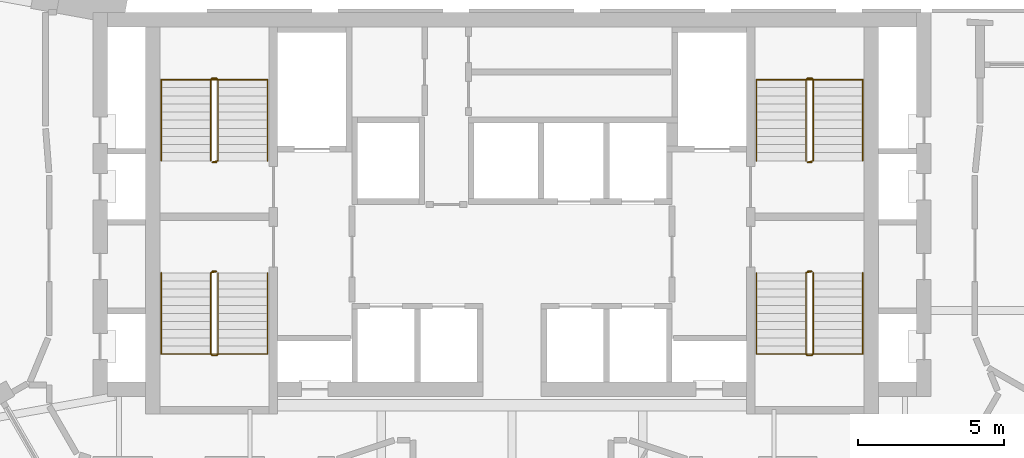
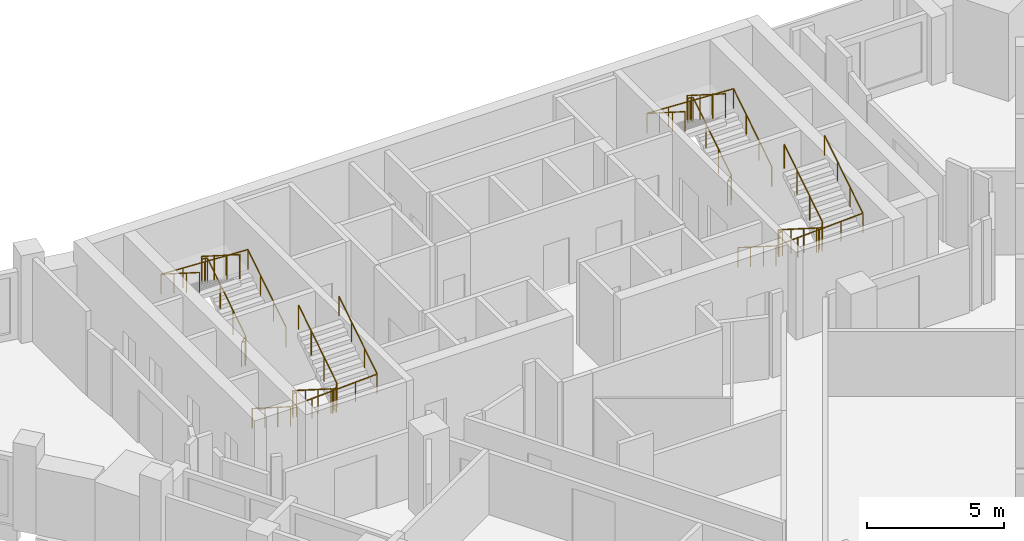
# One storey, part 9 of 9: 8 railings.
"""IFC4 building model written with IfcOpenShell, lengths in metres."""

from ifc_helpers import new_model, si_unit, direction, frame, origin, origin_2d, place, context, subcontext, project, spatial, circle, extrude, material, type_object, element, save


model = new_model("IFC4")

# Units and contexts
model_context = context("Model", 3, precision=1e-05, world=origin(), true_north=direction((0.0, 1.0)))
body_context = subcontext(model_context, "Body", "Model", "MODEL_VIEW")
ifc_project = project(units=[si_unit("LENGTHUNIT", "METRE"), si_unit("AREAUNIT", "SQUARE_METRE"), si_unit("VOLUMEUNIT", "CUBIC_METRE"), si_unit("PLANEANGLEUNIT", "RADIAN"), si_unit("MASSUNIT", "GRAM", prefix="KILO")], contexts=[model_context])

# Site, building, storey
site_placement = place(None, origin())
site = spatial("IfcSite", under=ifc_project, at=site_placement, CompositionType="ELEMENT")
building_placement = place(site_placement, origin())
building = spatial("IfcBuilding", under=site, at=building_placement, Name="Calabash Gate Tower", CompositionType="ELEMENT")
storey_placement = place(building_placement, frame((0.0, 0.0, 231.5)))
storey = spatial("IfcBuildingStorey", under=building, at=storey_placement, Name="L55", CompositionType="ELEMENT", Elevation=231.5)

# Railings
ifc_material_1 = material(Name="Black powder-coated steel balusters", Category="steel")
railing_type_1 = type_object("IfcRailingType", Name="Stair guard RL1100", PredefinedType="GUARDRAIL", material=ifc_material_1)
railing_1_placement = place(storey_placement, frame((-10.14990234375, 13.902587890625, 0.0)))
element("IfcRailing", 1, at=railing_1_placement, inside=storey, type_object=railing_type_1, Name="L55 ST1 stair guard 1", PredefinedType="GUARDRAIL", context=body_context, shape_type="SweptSolid", body=[
    extrude(circle(Radius=0.02392578125, at=origin_2d()), frame((0.0, 0.0, 1.076171875), z_axis=(-1.0, 0.0, 0.0), x_axis=(0.0, -1.0, 0.0)), (0.0, 0.0, 1.0), 0.150146484375),
    extrude(circle(Radius=0.02392578125, at=origin_2d()), frame((-0.150146484375, 0.0, 1.076171875), z_axis=(0.735524641326, 0.184105679453, 0.652003528208), x_axis=(-0.242814311512, 0.970072785993, 0.0)), (0.0, 0.0, 1.0), 0.271728515625),
    extrude(circle(Radius=0.02392578125, at=origin_2d()), frame((0.0498046875, 0.050048828125, 1.25341796875), z_axis=(0.0, 0.844041424197, 0.536277982245), x_axis=(-1.0, 0.0, 0.0)), (0.0, 0.0, 1.0), 3.3056640625),
    extrude(circle(Radius=0.02392578125, at=origin_2d()), frame((0.0498046875, 2.840087890625, 3.02587890625), z_axis=(-0.707106781187, 0.707106781187, 0.0), x_axis=(-0.707106781187, -0.707106781187, 0.0)), (0.0, 0.0, 1.0), 0.0703125),
    extrude(circle(Radius=0.02392578125, at=origin_2d()), frame((0.0, 2.889892578125, 3.02587890625), z_axis=(-1.0, 0.0, 0.0), x_axis=(0.0, -1.0, 0.0)), (0.0, 0.0, 1.0), 0.150146484375),
    extrude(circle(Radius=0.02392578125, at=origin_2d()), frame((-0.150146484375, 2.889892578125, 3.02587890625), z_axis=(-0.262321481514, -0.261041864531, 0.929001929653), x_axis=(0.705375805398, -0.708833529934, 0.0)), (0.0, 0.0, 1.0), 0.190673828125),
    extrude(circle(Radius=0.02392578125, at=origin_2d()), frame((-0.2001953125, 2.840087890625, 3.203125), z_axis=(0.0, -0.844041424197, 0.536277982245), x_axis=(1.0, 0.0, 0.0)), (0.0, 0.0, 1.0), 3.3056640625),
    extrude(circle(Radius=0.02099609375, at=origin_2d()), origin(), (0.0, 0.0, 1.0), 1.052001953125),
    extrude(circle(Radius=0.02099609375, at=origin_2d()), frame((-0.150146484375, 0.0, 0.0)), (0.0, 0.0, 1.0), 1.052001953125),
    extrude(circle(Radius=0.02099609375, at=origin_2d()), frame((0.0498046875, 0.050048828125, 0.17724609375)), (0.0, 0.0, 1.0), 1.052001953125),
    extrude(circle(Radius=0.02099609375, at=origin_2d()), frame((0.0498046875, 0.97998046875, 0.76806640625)), (0.0, 0.0, 1.0), 1.052001953125),
    extrude(circle(Radius=0.02099609375, at=origin_2d()), frame((0.0498046875, 1.91015625, 1.359130859375)), (0.0, 0.0, 1.0), 1.052001953125),
    extrude(circle(Radius=0.02099609375, at=origin_2d()), frame((0.0498046875, 2.840087890625, 1.949951171875)), (0.0, 0.0, 1.0), 1.052001953125),
    extrude(circle(Radius=0.02099609375, at=origin_2d()), frame((0.0, 2.889892578125, 1.949951171875)), (0.0, 0.0, 1.0), 1.052001953125),
    extrude(circle(Radius=0.02099609375, at=origin_2d()), frame((-0.150146484375, 2.889892578125, 1.949951171875)), (0.0, 0.0, 1.0), 1.052001953125),
    extrude(circle(Radius=0.02099609375, at=origin_2d()), frame((-0.2001953125, 2.840087890625, 2.127197265625)), (0.0, 0.0, 1.0), 1.052001953125),
    extrude(circle(Radius=0.02099609375, at=origin_2d()), frame((-0.2001953125, 1.91015625, 2.718017578125)), (0.0, 0.0, 1.0), 1.052001953125),
    extrude(circle(Radius=0.02099609375, at=origin_2d()), frame((-0.2001953125, 0.97998046875, 3.30908203125)), (0.0, 0.0, 1.0), 1.052001953125),
    extrude(circle(Radius=0.02099609375, at=origin_2d()), frame((-0.2001953125, 0.050048828125, 3.89990234375)), (0.0, 0.0, 1.0), 1.052001953125),
])
railing_2_placement = place(storey_placement, frame((-10.300048828125, 10.152587890625, 0.0)))
element("IfcRailing", 2, at=railing_2_placement, inside=storey, type_object=railing_type_1, Name="L55 ST2 stair guard 1", PredefinedType="GUARDRAIL", context=body_context, shape_type="SweptSolid", body=[
    extrude(circle(Radius=0.02392578125, at=origin_2d()), frame((0.0, 0.0, 1.076171875), z_axis=(1.0, 0.0, 0.0), x_axis=(0.0, 1.0, 0.0)), (0.0, 0.0, 1.0), 0.150146484375),
    extrude(circle(Radius=0.02392578125, at=origin_2d()), frame((0.150146484375, 0.0, 1.076171875), z_axis=(-0.735936453418, -0.183984113355, 0.651573006319), x_axis=(0.242535625036, -0.970142500145, 0.0)), (0.0, 0.0, 1.0), 0.27197265625),
    extrude(circle(Radius=0.02392578125, at=origin_2d()), frame((-0.050048828125, -0.050048828125, 1.25341796875), z_axis=(0.0, -0.844041424197, 0.536277982245), x_axis=(1.0, 0.0, 0.0)), (0.0, 0.0, 1.0), 3.3056640625),
    extrude(circle(Radius=0.02392578125, at=origin_2d()), frame((-0.050048828125, -2.840087890625, 3.02587890625), z_axis=(0.708833529934, -0.705375805398, 0.0), x_axis=(0.705375805398, 0.708833529934, 0.0)), (0.0, 0.0, 1.0), 0.070556640625),
    extrude(circle(Radius=0.02392578125, at=origin_2d()), frame((0.0, -2.889892578125, 3.02587890625), z_axis=(1.0, 0.0, 0.0), x_axis=(0.0, 1.0, 0.0)), (0.0, 0.0, 1.0), 0.150146484375),
    extrude(circle(Radius=0.02392578125, at=origin_2d()), frame((0.150146484375, -2.889892578125, 3.02587890625), z_axis=(0.261129318932, 0.261129318932, 0.929313164433), x_axis=(-0.707106781187, 0.707106781187, 0.0)), (0.0, 0.0, 1.0), 0.190673828125),
    extrude(circle(Radius=0.02392578125, at=origin_2d()), frame((0.199951171875, -2.840087890625, 3.203125), z_axis=(0.0, 0.844041424197, 0.536277982245), x_axis=(-1.0, 0.0, 0.0)), (0.0, 0.0, 1.0), 3.3056640625),
    extrude(circle(Radius=0.02099609375, at=origin_2d()), origin(), (0.0, 0.0, 1.0), 1.052001953125),
    extrude(circle(Radius=0.02099609375, at=origin_2d()), frame((0.150146484375, 0.0, 0.0)), (0.0, 0.0, 1.0), 1.052001953125),
    extrude(circle(Radius=0.02099609375, at=origin_2d()), frame((-0.050048828125, -0.050048828125, 0.17724609375)), (0.0, 0.0, 1.0), 1.052001953125),
    extrude(circle(Radius=0.02099609375, at=origin_2d()), frame((-0.050048828125, -0.97998046875, 0.76806640625)), (0.0, 0.0, 1.0), 1.052001953125),
    extrude(circle(Radius=0.02099609375, at=origin_2d()), frame((-0.050048828125, -1.91015625, 1.359130859375)), (0.0, 0.0, 1.0), 1.052001953125),
    extrude(circle(Radius=0.02099609375, at=origin_2d()), frame((-0.050048828125, -2.840087890625, 1.949951171875)), (0.0, 0.0, 1.0), 1.052001953125),
    extrude(circle(Radius=0.02099609375, at=origin_2d()), frame((0.0, -2.889892578125, 1.949951171875)), (0.0, 0.0, 1.0), 1.052001953125),
    extrude(circle(Radius=0.02099609375, at=origin_2d()), frame((0.150146484375, -2.889892578125, 1.949951171875)), (0.0, 0.0, 1.0), 1.052001953125),
    extrude(circle(Radius=0.02099609375, at=origin_2d()), frame((0.199951171875, -2.840087890625, 2.127197265625)), (0.0, 0.0, 1.0), 1.052001953125),
    extrude(circle(Radius=0.02099609375, at=origin_2d()), frame((0.199951171875, -1.91015625, 2.718017578125)), (0.0, 0.0, 1.0), 1.052001953125),
    extrude(circle(Radius=0.02099609375, at=origin_2d()), frame((0.199951171875, -0.97998046875, 3.30908203125)), (0.0, 0.0, 1.0), 1.052001953125),
    extrude(circle(Radius=0.02099609375, at=origin_2d()), frame((0.199951171875, -0.050048828125, 3.89990234375)), (0.0, 0.0, 1.0), 1.052001953125),
])
railing_3_placement = place(storey_placement, frame((10.300048828125, 13.902587890625, 0.0)))
element("IfcRailing", 3, at=railing_3_placement, inside=storey, type_object=railing_type_1, Name="L55 ST3 stair guard 1", PredefinedType="GUARDRAIL", context=body_context, shape_type="SweptSolid", body=[
    extrude(circle(Radius=0.02392578125, at=origin_2d()), frame((0.0, 0.0, 1.076171875), z_axis=(-1.0, 0.0, 0.0), x_axis=(0.0, -1.0, 0.0)), (0.0, 0.0, 1.0), 0.150146484375),
    extrude(circle(Radius=0.02392578125, at=origin_2d()), frame((-0.150146484375, 0.0, 1.076171875), z_axis=(0.735936453418, 0.183984113355, 0.651573006319), x_axis=(-0.242535625036, 0.970142500145, 0.0)), (0.0, 0.0, 1.0), 0.27197265625),
    extrude(circle(Radius=0.02392578125, at=origin_2d()), frame((0.050048828125, 0.050048828125, 1.25341796875), z_axis=(0.0, 0.844041424197, 0.536277982245), x_axis=(-1.0, 0.0, 0.0)), (0.0, 0.0, 1.0), 3.3056640625),
    extrude(circle(Radius=0.02392578125, at=origin_2d()), frame((0.050048828125, 2.840087890625, 3.02587890625), z_axis=(-0.708833529934, 0.705375805398, 0.0), x_axis=(-0.705375805398, -0.708833529934, 0.0)), (0.0, 0.0, 1.0), 0.070556640625),
    extrude(circle(Radius=0.02392578125, at=origin_2d()), frame((0.0, 2.889892578125, 3.02587890625), z_axis=(-1.0, 0.0, 0.0), x_axis=(0.0, -1.0, 0.0)), (0.0, 0.0, 1.0), 0.150146484375),
    extrude(circle(Radius=0.02392578125, at=origin_2d()), frame((-0.150146484375, 2.889892578125, 3.02587890625), z_axis=(-0.261129318932, -0.261129318932, 0.929313164433), x_axis=(0.707106781187, -0.707106781187, 0.0)), (0.0, 0.0, 1.0), 0.190673828125),
    extrude(circle(Radius=0.02392578125, at=origin_2d()), frame((-0.199951171875, 2.840087890625, 3.203125), z_axis=(0.0, -0.844041424197, 0.536277982245), x_axis=(1.0, 0.0, 0.0)), (0.0, 0.0, 1.0), 3.3056640625),
    extrude(circle(Radius=0.02099609375, at=origin_2d()), origin(), (0.0, 0.0, 1.0), 1.052001953125),
    extrude(circle(Radius=0.02099609375, at=origin_2d()), frame((-0.150146484375, 0.0, 0.0)), (0.0, 0.0, 1.0), 1.052001953125),
    extrude(circle(Radius=0.02099609375, at=origin_2d()), frame((0.050048828125, 0.050048828125, 0.17724609375)), (0.0, 0.0, 1.0), 1.052001953125),
    extrude(circle(Radius=0.02099609375, at=origin_2d()), frame((0.050048828125, 0.97998046875, 0.76806640625)), (0.0, 0.0, 1.0), 1.052001953125),
    extrude(circle(Radius=0.02099609375, at=origin_2d()), frame((0.050048828125, 1.91015625, 1.359130859375)), (0.0, 0.0, 1.0), 1.052001953125),
    extrude(circle(Radius=0.02099609375, at=origin_2d()), frame((0.050048828125, 2.840087890625, 1.949951171875)), (0.0, 0.0, 1.0), 1.052001953125),
    extrude(circle(Radius=0.02099609375, at=origin_2d()), frame((0.0, 2.889892578125, 1.949951171875)), (0.0, 0.0, 1.0), 1.052001953125),
    extrude(circle(Radius=0.02099609375, at=origin_2d()), frame((-0.150146484375, 2.889892578125, 1.949951171875)), (0.0, 0.0, 1.0), 1.052001953125),
    extrude(circle(Radius=0.02099609375, at=origin_2d()), frame((-0.199951171875, 2.840087890625, 2.127197265625)), (0.0, 0.0, 1.0), 1.052001953125),
    extrude(circle(Radius=0.02099609375, at=origin_2d()), frame((-0.199951171875, 1.91015625, 2.718017578125)), (0.0, 0.0, 1.0), 1.052001953125),
    extrude(circle(Radius=0.02099609375, at=origin_2d()), frame((-0.199951171875, 0.97998046875, 3.30908203125)), (0.0, 0.0, 1.0), 1.052001953125),
    extrude(circle(Radius=0.02099609375, at=origin_2d()), frame((-0.199951171875, 0.050048828125, 3.89990234375)), (0.0, 0.0, 1.0), 1.052001953125),
])
railing_4_placement = place(storey_placement, frame((10.14990234375, 10.152587890625, 0.0)))
element("IfcRailing", 4, at=railing_4_placement, inside=storey, type_object=railing_type_1, Name="L55 ST4 stair guard 1", PredefinedType="GUARDRAIL", context=body_context, shape_type="SweptSolid", body=[
    extrude(circle(Radius=0.02392578125, at=origin_2d()), frame((0.0, 0.0, 1.076171875), z_axis=(1.0, 0.0, 0.0), x_axis=(0.0, 1.0, 0.0)), (0.0, 0.0, 1.0), 0.150146484375),
    extrude(circle(Radius=0.02392578125, at=origin_2d()), frame((0.150146484375, 0.0, 1.076171875), z_axis=(-0.735524641326, -0.184105679453, 0.652003528208), x_axis=(0.242814311512, -0.970072785993, 0.0)), (0.0, 0.0, 1.0), 0.271728515625),
    extrude(circle(Radius=0.02392578125, at=origin_2d()), frame((-0.0498046875, -0.050048828125, 1.25341796875), z_axis=(0.0, -0.844041424197, 0.536277982245), x_axis=(1.0, 0.0, 0.0)), (0.0, 0.0, 1.0), 3.3056640625),
    extrude(circle(Radius=0.02392578125, at=origin_2d()), frame((-0.0498046875, -2.840087890625, 3.02587890625), z_axis=(0.707106781187, -0.707106781187, 0.0), x_axis=(0.707106781187, 0.707106781187, 0.0)), (0.0, 0.0, 1.0), 0.0703125),
    extrude(circle(Radius=0.02392578125, at=origin_2d()), frame((0.0, -2.889892578125, 3.02587890625), z_axis=(1.0, 0.0, 0.0), x_axis=(0.0, 1.0, 0.0)), (0.0, 0.0, 1.0), 0.150146484375),
    extrude(circle(Radius=0.02392578125, at=origin_2d()), frame((0.150146484375, -2.889892578125, 3.02587890625), z_axis=(0.262321481514, 0.261041864531, 0.929001929653), x_axis=(-0.705375805398, 0.708833529934, 0.0)), (0.0, 0.0, 1.0), 0.190673828125),
    extrude(circle(Radius=0.02392578125, at=origin_2d()), frame((0.2001953125, -2.840087890625, 3.203125), z_axis=(0.0, 0.844041424197, 0.536277982245), x_axis=(-1.0, 0.0, 0.0)), (0.0, 0.0, 1.0), 3.3056640625),
    extrude(circle(Radius=0.02099609375, at=origin_2d()), origin(), (0.0, 0.0, 1.0), 1.052001953125),
    extrude(circle(Radius=0.02099609375, at=origin_2d()), frame((0.150146484375, 0.0, 0.0)), (0.0, 0.0, 1.0), 1.052001953125),
    extrude(circle(Radius=0.02099609375, at=origin_2d()), frame((-0.0498046875, -0.050048828125, 0.17724609375)), (0.0, 0.0, 1.0), 1.052001953125),
    extrude(circle(Radius=0.02099609375, at=origin_2d()), frame((-0.0498046875, -0.97998046875, 0.76806640625)), (0.0, 0.0, 1.0), 1.052001953125),
    extrude(circle(Radius=0.02099609375, at=origin_2d()), frame((-0.0498046875, -1.91015625, 1.359130859375)), (0.0, 0.0, 1.0), 1.052001953125),
    extrude(circle(Radius=0.02099609375, at=origin_2d()), frame((-0.0498046875, -2.840087890625, 1.949951171875)), (0.0, 0.0, 1.0), 1.052001953125),
    extrude(circle(Radius=0.02099609375, at=origin_2d()), frame((0.0, -2.889892578125, 1.949951171875)), (0.0, 0.0, 1.0), 1.052001953125),
    extrude(circle(Radius=0.02099609375, at=origin_2d()), frame((0.150146484375, -2.889892578125, 1.949951171875)), (0.0, 0.0, 1.0), 1.052001953125),
    extrude(circle(Radius=0.02099609375, at=origin_2d()), frame((0.2001953125, -2.840087890625, 2.127197265625)), (0.0, 0.0, 1.0), 1.052001953125),
    extrude(circle(Radius=0.02099609375, at=origin_2d()), frame((0.2001953125, -1.91015625, 2.718017578125)), (0.0, 0.0, 1.0), 1.052001953125),
    extrude(circle(Radius=0.02099609375, at=origin_2d()), frame((0.2001953125, -0.97998046875, 3.30908203125)), (0.0, 0.0, 1.0), 1.052001953125),
    extrude(circle(Radius=0.02099609375, at=origin_2d()), frame((0.2001953125, -0.050048828125, 3.89990234375)), (0.0, 0.0, 1.0), 1.052001953125),
])
ifc_material_2 = material(Name="Black powder-coated steel tube 48 mm", Category="steel")
railing_type_2 = type_object("IfcRailingType", Name="Stair handrail RL900", PredefinedType="HANDRAIL", material=ifc_material_2)
railing_5_placement = place(storey_placement, frame((-8.39990234375, 13.95263671875, 0.17724609375)))
element("IfcRailing", 5, at=railing_5_placement, inside=storey, type_object=railing_type_2, Name="L55 ST1 stair handrail 1", PredefinedType="HANDRAIL", context=body_context, shape_type="SweptSolid", body=[
    extrude(circle(Radius=0.02392578125, at=origin_2d()), frame((0.0, 0.0, 0.8759765625), z_axis=(0.0, 0.844041424197, 0.536277982245), x_axis=(-1.0, 0.0, 0.0)), (0.0, 0.0, 1.0), 3.3056640625),
    extrude(circle(Radius=0.02392578125, at=origin_2d()), frame((0.0, 2.7900390625, 2.6484375), z_axis=(-0.998823110844, 0.0, 0.048501476722), x_axis=(0.0, -1.0, 0.0)), (0.0, 0.0, 1.0), 3.654541015625),
    extrude(circle(Radius=0.02392578125, at=origin_2d()), frame((-3.650146484375, 2.7900390625, 2.82568359375), z_axis=(0.0, -0.844041424197, 0.536277982245), x_axis=(1.0, 0.0, 0.0)), (0.0, 0.0, 1.0), 3.3056640625),
    extrude(circle(Radius=0.02099609375, at=origin_2d()), origin(), (0.0, 0.0, 1.0), 0.851806640625),
    extrude(circle(Radius=0.02099609375, at=origin_2d()), frame((0.0, 0.929931640625, 0.5908203125)), (0.0, 0.0, 1.0), 0.851806640625),
    extrude(circle(Radius=0.02099609375, at=origin_2d()), frame((0.0, 1.860107421875, 1.181884765625)), (0.0, 0.0, 1.0), 0.851806640625),
    extrude(circle(Radius=0.02099609375, at=origin_2d()), frame((0.0, 2.7900390625, 1.772705078125)), (0.0, 0.0, 1.0), 0.851806640625),
    extrude(circle(Radius=0.02099609375, at=origin_2d()), frame((-0.91259765625, 2.7900390625, 1.81689453125)), (0.0, 0.0, 1.0), 0.851806640625),
    extrude(circle(Radius=0.02099609375, at=origin_2d()), frame((-1.8251953125, 2.7900390625, 1.861328125)), (0.0, 0.0, 1.0), 0.851806640625),
    extrude(circle(Radius=0.02099609375, at=origin_2d()), frame((-2.737548828125, 2.7900390625, 1.90576171875)), (0.0, 0.0, 1.0), 0.851806640625),
    extrude(circle(Radius=0.02099609375, at=origin_2d()), frame((-3.650146484375, 2.7900390625, 1.949951171875)), (0.0, 0.0, 1.0), 0.851806640625),
    extrude(circle(Radius=0.02099609375, at=origin_2d()), frame((-3.650146484375, 1.860107421875, 2.540771484375)), (0.0, 0.0, 1.0), 0.851806640625),
    extrude(circle(Radius=0.02099609375, at=origin_2d()), frame((-3.650146484375, 0.929931640625, 3.1318359375)), (0.0, 0.0, 1.0), 0.851806640625),
    extrude(circle(Radius=0.02099609375, at=origin_2d()), frame((-3.650146484375, 0.0, 3.72265625)), (0.0, 0.0, 1.0), 0.851806640625),
])
railing_6_placement = place(storey_placement, frame((-12.050048828125, 10.1025390625, 0.17724609375)))
element("IfcRailing", 6, at=railing_6_placement, inside=storey, type_object=railing_type_2, Name="L55 ST2 stair handrail 1", PredefinedType="HANDRAIL", context=body_context, shape_type="SweptSolid", body=[
    extrude(circle(Radius=0.02392578125, at=origin_2d()), frame((0.0, 0.0, 0.8759765625), z_axis=(0.0, -0.844041424197, 0.536277982245), x_axis=(1.0, 0.0, 0.0)), (0.0, 0.0, 1.0), 3.3056640625),
    extrude(circle(Radius=0.02392578125, at=origin_2d()), frame((0.0, -2.7900390625, 2.6484375), z_axis=(0.998823110844, 0.0, 0.048501476722), x_axis=(0.0, 1.0, 0.0)), (0.0, 0.0, 1.0), 3.654541015625),
    extrude(circle(Radius=0.02392578125, at=origin_2d()), frame((3.650146484375, -2.7900390625, 2.82568359375), z_axis=(0.0, 0.844041424197, 0.536277982245), x_axis=(-1.0, 0.0, 0.0)), (0.0, 0.0, 1.0), 3.3056640625),
    extrude(circle(Radius=0.02099609375, at=origin_2d()), origin(), (0.0, 0.0, 1.0), 0.851806640625),
    extrude(circle(Radius=0.02099609375, at=origin_2d()), frame((0.0, -0.929931640625, 0.5908203125)), (0.0, 0.0, 1.0), 0.851806640625),
    extrude(circle(Radius=0.02099609375, at=origin_2d()), frame((0.0, -1.860107421875, 1.181884765625)), (0.0, 0.0, 1.0), 0.851806640625),
    extrude(circle(Radius=0.02099609375, at=origin_2d()), frame((0.0, -2.7900390625, 1.772705078125)), (0.0, 0.0, 1.0), 0.851806640625),
    extrude(circle(Radius=0.02099609375, at=origin_2d()), frame((0.91259765625, -2.7900390625, 1.81689453125)), (0.0, 0.0, 1.0), 0.851806640625),
    extrude(circle(Radius=0.02099609375, at=origin_2d()), frame((1.8251953125, -2.7900390625, 1.861328125)), (0.0, 0.0, 1.0), 0.851806640625),
    extrude(circle(Radius=0.02099609375, at=origin_2d()), frame((2.737548828125, -2.7900390625, 1.90576171875)), (0.0, 0.0, 1.0), 0.851806640625),
    extrude(circle(Radius=0.02099609375, at=origin_2d()), frame((3.650146484375, -2.7900390625, 1.949951171875)), (0.0, 0.0, 1.0), 0.851806640625),
    extrude(circle(Radius=0.02099609375, at=origin_2d()), frame((3.650146484375, -1.860107421875, 2.540771484375)), (0.0, 0.0, 1.0), 0.851806640625),
    extrude(circle(Radius=0.02099609375, at=origin_2d()), frame((3.650146484375, -0.929931640625, 3.1318359375)), (0.0, 0.0, 1.0), 0.851806640625),
    extrude(circle(Radius=0.02099609375, at=origin_2d()), frame((3.650146484375, 0.0, 3.72265625)), (0.0, 0.0, 1.0), 0.851806640625),
])
railing_7_placement = place(storey_placement, frame((12.050048828125, 13.95263671875, 0.17724609375)))
element("IfcRailing", 7, at=railing_7_placement, inside=storey, type_object=railing_type_2, Name="L55 ST3 stair handrail 1", PredefinedType="HANDRAIL", context=body_context, shape_type="SweptSolid", body=[
    extrude(circle(Radius=0.02392578125, at=origin_2d()), frame((0.0, 0.0, 0.8759765625), z_axis=(0.0, 0.844041424197, 0.536277982245), x_axis=(-1.0, 0.0, 0.0)), (0.0, 0.0, 1.0), 3.3056640625),
    extrude(circle(Radius=0.02392578125, at=origin_2d()), frame((0.0, 2.7900390625, 2.6484375), z_axis=(-0.998823110844, 0.0, 0.048501476722), x_axis=(0.0, -1.0, 0.0)), (0.0, 0.0, 1.0), 3.654541015625),
    extrude(circle(Radius=0.02392578125, at=origin_2d()), frame((-3.650146484375, 2.7900390625, 2.82568359375), z_axis=(0.0, -0.844041424197, 0.536277982245), x_axis=(1.0, 0.0, 0.0)), (0.0, 0.0, 1.0), 3.3056640625),
    extrude(circle(Radius=0.02099609375, at=origin_2d()), origin(), (0.0, 0.0, 1.0), 0.851806640625),
    extrude(circle(Radius=0.02099609375, at=origin_2d()), frame((0.0, 0.929931640625, 0.5908203125)), (0.0, 0.0, 1.0), 0.851806640625),
    extrude(circle(Radius=0.02099609375, at=origin_2d()), frame((0.0, 1.860107421875, 1.181884765625)), (0.0, 0.0, 1.0), 0.851806640625),
    extrude(circle(Radius=0.02099609375, at=origin_2d()), frame((0.0, 2.7900390625, 1.772705078125)), (0.0, 0.0, 1.0), 0.851806640625),
    extrude(circle(Radius=0.02099609375, at=origin_2d()), frame((-0.91259765625, 2.7900390625, 1.81689453125)), (0.0, 0.0, 1.0), 0.851806640625),
    extrude(circle(Radius=0.02099609375, at=origin_2d()), frame((-1.8251953125, 2.7900390625, 1.861328125)), (0.0, 0.0, 1.0), 0.851806640625),
    extrude(circle(Radius=0.02099609375, at=origin_2d()), frame((-2.737548828125, 2.7900390625, 1.90576171875)), (0.0, 0.0, 1.0), 0.851806640625),
    extrude(circle(Radius=0.02099609375, at=origin_2d()), frame((-3.650146484375, 2.7900390625, 1.949951171875)), (0.0, 0.0, 1.0), 0.851806640625),
    extrude(circle(Radius=0.02099609375, at=origin_2d()), frame((-3.650146484375, 1.860107421875, 2.540771484375)), (0.0, 0.0, 1.0), 0.851806640625),
    extrude(circle(Radius=0.02099609375, at=origin_2d()), frame((-3.650146484375, 0.929931640625, 3.1318359375)), (0.0, 0.0, 1.0), 0.851806640625),
    extrude(circle(Radius=0.02099609375, at=origin_2d()), frame((-3.650146484375, 0.0, 3.72265625)), (0.0, 0.0, 1.0), 0.851806640625),
])
railing_8_placement = place(storey_placement, frame((8.39990234375, 10.1025390625, 0.17724609375)))
element("IfcRailing", 8, at=railing_8_placement, inside=storey, type_object=railing_type_2, Name="L55 ST4 stair handrail 1", PredefinedType="HANDRAIL", context=body_context, shape_type="SweptSolid", body=[
    extrude(circle(Radius=0.02392578125, at=origin_2d()), frame((0.0, 0.0, 0.8759765625), z_axis=(0.0, -0.844041424197, 0.536277982245), x_axis=(1.0, 0.0, 0.0)), (0.0, 0.0, 1.0), 3.3056640625),
    extrude(circle(Radius=0.02392578125, at=origin_2d()), frame((0.0, -2.7900390625, 2.6484375), z_axis=(0.998823110844, 0.0, 0.048501476722), x_axis=(0.0, 1.0, 0.0)), (0.0, 0.0, 1.0), 3.654541015625),
    extrude(circle(Radius=0.02392578125, at=origin_2d()), frame((3.650146484375, -2.7900390625, 2.82568359375), z_axis=(0.0, 0.844041424197, 0.536277982245), x_axis=(-1.0, 0.0, 0.0)), (0.0, 0.0, 1.0), 3.3056640625),
    extrude(circle(Radius=0.02099609375, at=origin_2d()), origin(), (0.0, 0.0, 1.0), 0.851806640625),
    extrude(circle(Radius=0.02099609375, at=origin_2d()), frame((0.0, -0.929931640625, 0.5908203125)), (0.0, 0.0, 1.0), 0.851806640625),
    extrude(circle(Radius=0.02099609375, at=origin_2d()), frame((0.0, -1.860107421875, 1.181884765625)), (0.0, 0.0, 1.0), 0.851806640625),
    extrude(circle(Radius=0.02099609375, at=origin_2d()), frame((0.0, -2.7900390625, 1.772705078125)), (0.0, 0.0, 1.0), 0.851806640625),
    extrude(circle(Radius=0.02099609375, at=origin_2d()), frame((0.91259765625, -2.7900390625, 1.81689453125)), (0.0, 0.0, 1.0), 0.851806640625),
    extrude(circle(Radius=0.02099609375, at=origin_2d()), frame((1.8251953125, -2.7900390625, 1.861328125)), (0.0, 0.0, 1.0), 0.851806640625),
    extrude(circle(Radius=0.02099609375, at=origin_2d()), frame((2.737548828125, -2.7900390625, 1.90576171875)), (0.0, 0.0, 1.0), 0.851806640625),
    extrude(circle(Radius=0.02099609375, at=origin_2d()), frame((3.650146484375, -2.7900390625, 1.949951171875)), (0.0, 0.0, 1.0), 0.851806640625),
    extrude(circle(Radius=0.02099609375, at=origin_2d()), frame((3.650146484375, -1.860107421875, 2.540771484375)), (0.0, 0.0, 1.0), 0.851806640625),
    extrude(circle(Radius=0.02099609375, at=origin_2d()), frame((3.650146484375, -0.929931640625, 3.1318359375)), (0.0, 0.0, 1.0), 0.851806640625),
    extrude(circle(Radius=0.02099609375, at=origin_2d()), frame((3.650146484375, 0.0, 3.72265625)), (0.0, 0.0, 1.0), 0.851806640625),
])

save(model, "model.ifc")
